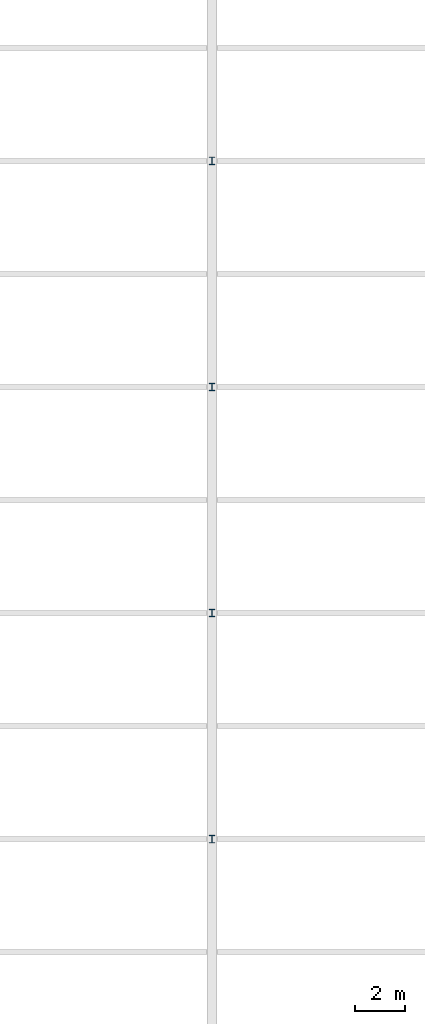
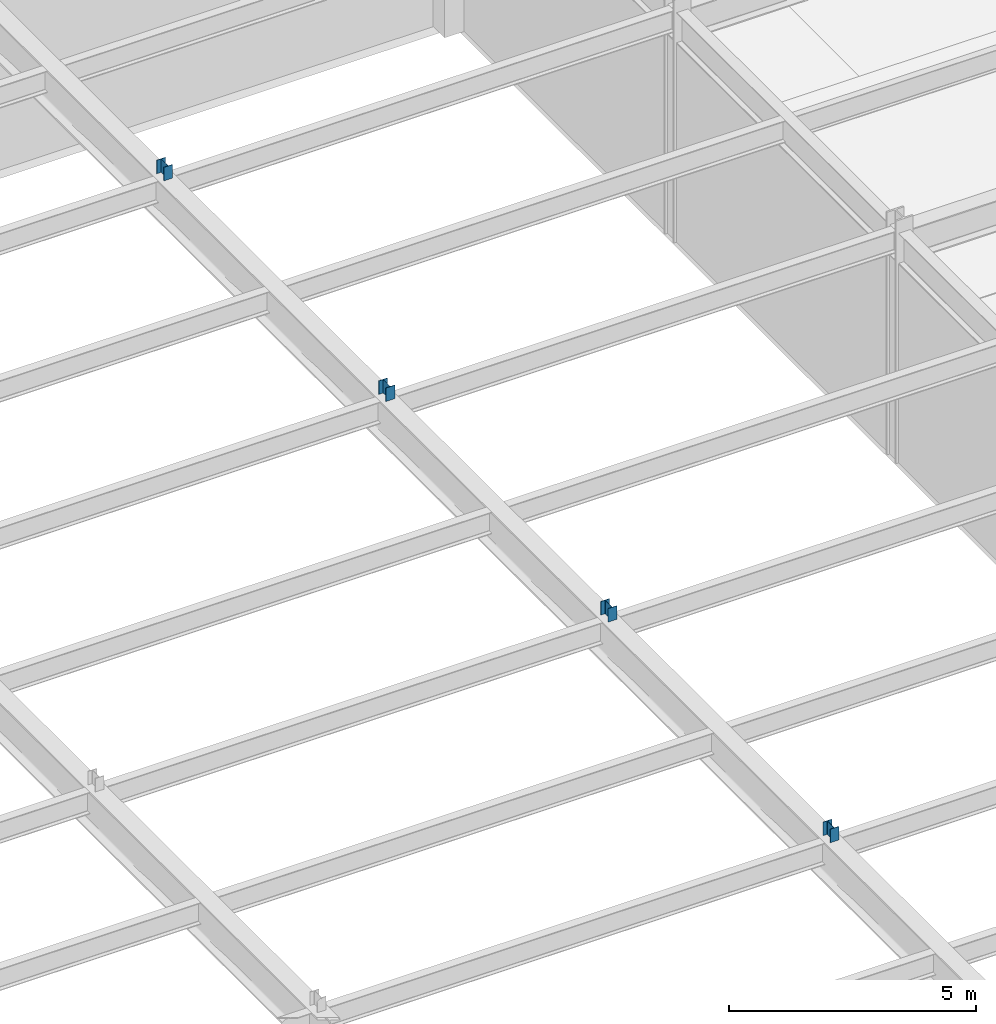
# One storey, part 78 of 105: 4 members.
"""IFC4 building model written with IfcOpenShell, lengths in metres."""

from ifc_helpers import new_model, si_unit, direction, frame, origin, origin_2d, place, context, subcontext, project, spatial, i_section, extrude, material, material_profile, profile_set, type_object, element, save


model = new_model("IFC4")

# Units and contexts
model_context = context("Model", 3, precision=1e-05, world=origin(), true_north=direction((0.0, 1.0)))
body_context = subcontext(model_context, "Body", "Model", "MODEL_VIEW")
ifc_project = project(units=[si_unit("LENGTHUNIT", "METRE"), si_unit("AREAUNIT", "SQUARE_METRE"), si_unit("VOLUMEUNIT", "CUBIC_METRE"), si_unit("PLANEANGLEUNIT", "RADIAN"), si_unit("MASSUNIT", "GRAM", prefix="KILO")], contexts=[model_context])

# Site, building, storey
site_placement = place(None, origin())
site = spatial("IfcSite", under=ifc_project, at=site_placement, CompositionType="ELEMENT")
building_placement = place(site_placement, origin())
building = spatial("IfcBuilding", under=site, at=building_placement, Name="Kaldorvane Square Convention Centre", CompositionType="ELEMENT")
storey_placement = place(building_placement, frame((0.0, 0.0, 6.0)))
storey = spatial("IfcBuildingStorey", under=building, at=storey_placement, Name="L01", CompositionType="ELEMENT", Elevation=6.0)

# Members
ifc_material = material(Name="Steel ASTM A992 Gr. 50", Category="steel")
ifc_material_profile = material_profile(ifc_material, i_section(OverallWidth=0.2032928466796875, OverallDepth=0.3032989501953125, WebThickness=0.00750732421875, FlangeThickness=0.0131072998046875, FilletRadius=0.01019287109375, at=origin_2d()), Name="W12X40")
ifc_profile_set = profile_set([ifc_material_profile], Name="Steel ASTM A992 Gr. 50")
member_type = type_object("IfcMemberType", Name="MB-HG-W12X40", PredefinedType="POST", material=ifc_profile_set)
for number, where, z_axis, x_axis, name in (
    (1, (102.0, 36.0, 5.675994873046875), (0.0, 0.0, 1.0), (1.0, 0.0, 0.0), "Exhibition Hall Ceiling Girder HG-07 Hanger 2"),
    (2, (102.0, 45.0, 5.675994873046875), (0.0, 0.0, 1.0), (1.0, 0.0, 0.0), "Exhibition Hall Ceiling Girder HG-07 Hanger 3"),
    (3, (102.0, 54.0, 5.675994873046875), (0.0, 0.0, 1.0), (1.0, 0.0, 0.0), "Exhibition Hall Ceiling Girder HG-07 Hanger 4"),
    (4, (102.0, 63.0, 5.675994873046875), (0.0, 0.0, 1.0), (1.0, 0.0, 0.0), "Exhibition Hall Ceiling Girder HG-07 Hanger 5"),
):
    element("IfcMember", number, at=place(storey_placement, frame(where, z_axis=z_axis, x_axis=x_axis)), inside=storey, type_object=member_type, Name=name, PredefinedType="POST", context=body_context, shape_type="SweptSolid", body=[
        extrude(i_section(OverallWidth=0.2032928466796875, OverallDepth=0.3032989501953125, WebThickness=0.00750732421875, FlangeThickness=0.0131072998046875, FilletRadius=0.01019287109375, at=origin_2d()), origin(), (0.0, 0.0, 1.0), 0.3332977294921875),
    ])

save(model, "model.ifc")
